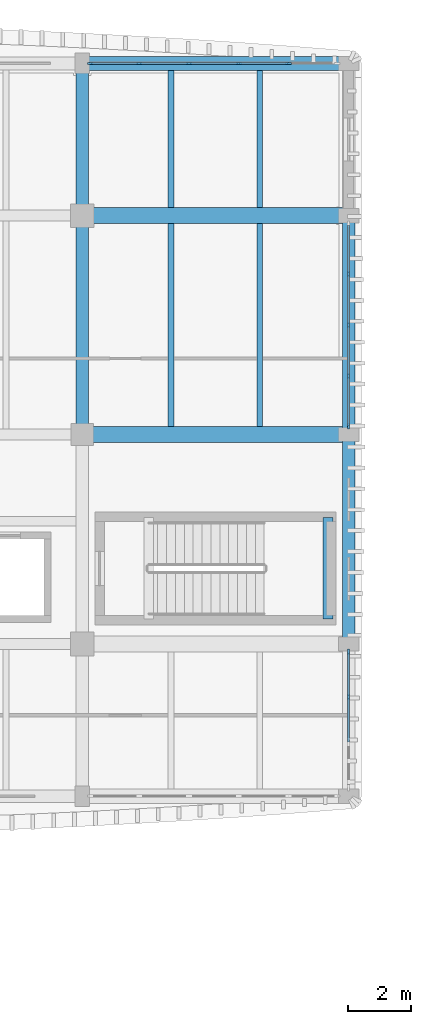
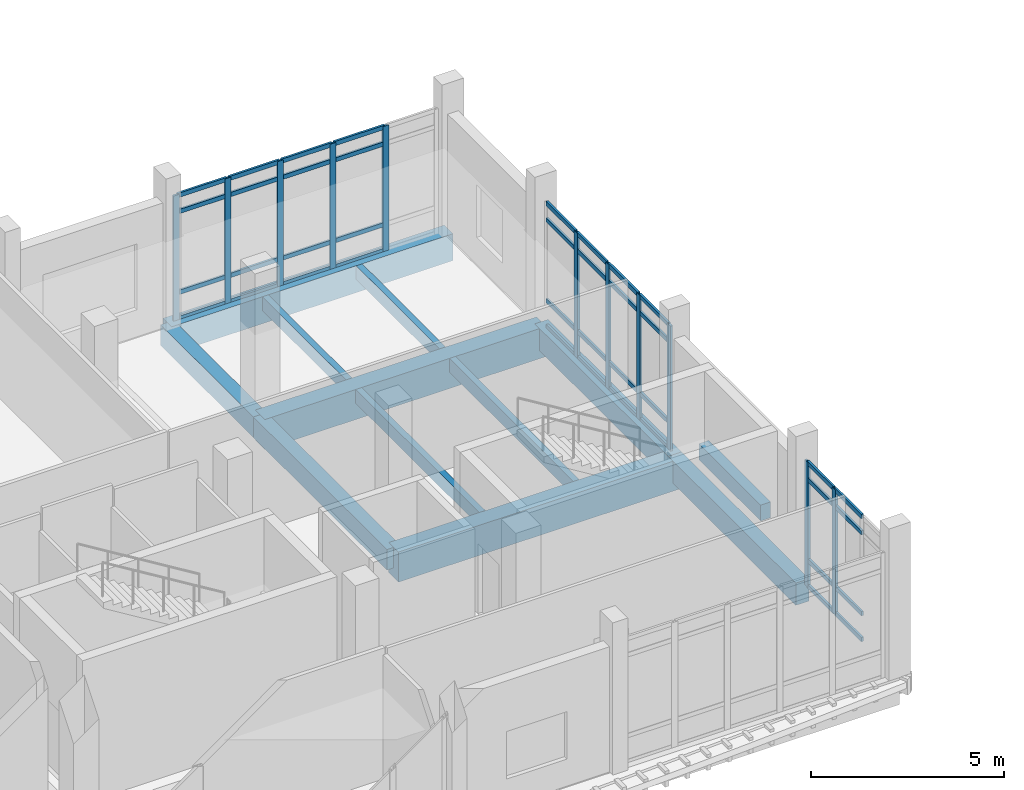
# One storey, part 6 of 37: 51 members, 12 beams, 3 elements without a shape of their own.
"""IFC4 building model written with IfcOpenShell, lengths in metres."""

from ifc_helpers import new_model, si_unit, direction, frame, origin, origin_2d, place, context, subcontext, project, spatial, rectangle, extrude, material, material_profile, profile_set, type_object, element, aggregate, save


model = new_model("IFC4")

# Units and contexts
model_context = context("Model", 3, precision=1e-05, world=origin(), true_north=direction((0.0, 1.0)))
body_context = subcontext(model_context, "Body", "Model", "MODEL_VIEW")
ifc_project = project(units=[si_unit("LENGTHUNIT", "METRE"), si_unit("AREAUNIT", "SQUARE_METRE"), si_unit("VOLUMEUNIT", "CUBIC_METRE"), si_unit("PLANEANGLEUNIT", "RADIAN"), si_unit("MASSUNIT", "GRAM", prefix="KILO")], contexts=[model_context])

# Site, building, storey
site_placement = place(None, origin())
site = spatial("IfcSite", under=ifc_project, at=site_placement, CompositionType="ELEMENT")
building_placement = place(site_placement, origin())
building = spatial("IfcBuilding", under=site, at=building_placement, Name="Dornvale Research Institute", CompositionType="ELEMENT")
storey_placement = place(building_placement, frame((0.0, 0.0, 29.39990234375)))
storey = spatial("IfcBuildingStorey", under=building, at=storey_placement, Name="L06", CompositionType="ELEMENT", Elevation=29.39990234375)

# Beams
ifc_material_1 = material(Name="Concrete f'c 45 MPa (C35/45)", Category="concrete")
ifc_material_profile_1 = material_profile(ifc_material_1, rectangle(XDim=0.300048828125, YDim=0.5, at=origin_2d()), Name="RC 300x500")
ifc_profile_set_1 = profile_set([ifc_material_profile_1], Name="Concrete f'c 45 MPa (C35/45)")
beam_type_1 = type_object("IfcBeamType", Name="Beam_RC300x500_Trim", PredefinedType="BEAM", material=ifc_profile_set_1)
beam_1_placement = place(storey_placement, frame((40.75, 104.580078125, 1.9501953125), z_axis=(0.0, 1.0, 0.0), x_axis=(-1.0, 0.0, 0.0)))
element("IfcBeam", 1, at=beam_1_placement, inside=storey, type_object=beam_type_1, Name="L06 ST-2 half-landing support beam #43", PredefinedType="BEAM", context=body_context, shape_type="SweptSolid", body=[
    extrude(rectangle(XDim=0.300048828125, YDim=0.5, at=origin_2d()), origin(), (0.0, 0.0, 1.0), 3.199951171875),
])
ifc_material_2 = material(Name="Concrete f'c 45 MPa (C35/45)", Category="concrete")
ifc_material_profile_2 = material_profile(ifc_material_2, rectangle(XDim=0.39990234375, YDim=0.64990234375, at=origin_2d()), Name="RC 400x650")
ifc_profile_set_2 = profile_set([ifc_material_profile_2], Name="Concrete f'c 45 MPa (C35/45)")
beam_type_2 = type_object("IfcBeamType", Name="Beam_RC400x650_Floor", PredefinedType="BEAM", material=ifc_profile_set_2)
beam_2_placement = place(storey_placement, frame((33.0, 110.39990234375, -0.324951171875), z_axis=(0.0, 1.0, 0.0), x_axis=(-1.0, 0.0, 0.0)))
element("IfcBeam", 2, at=beam_2_placement, inside=storey, type_object=beam_type_2, Name="L06 transverse girder #1492", PredefinedType="BEAM", context=body_context, shape_type="SweptSolid", body=[
    extrude(rectangle(XDim=0.39990234375, YDim=0.64990234375, at=origin_2d()), origin(), (0.0, 0.0, 1.0), 6.900146484375),
])
beam_3_placement = place(storey_placement, frame((33.0, 117.300048828125, -0.324951171875), z_axis=(0.0, 1.0, 0.0), x_axis=(-1.0, 0.0, 0.0)))
element("IfcBeam", 3, at=beam_3_placement, inside=storey, type_object=beam_type_2, Name="L06 transverse girder #1493", PredefinedType="BEAM", context=body_context, shape_type="SweptSolid", body=[
    extrude(rectangle(XDim=0.39990234375, YDim=0.64990234375, at=origin_2d()), origin(), (0.0, 0.0, 1.0), 4.800048828125),
])
ifc_material_3 = material(Name="Concrete f'c 45 MPa (C35/45)", Category="concrete")
ifc_material_profile_3 = material_profile(ifc_material_3, rectangle(XDim=0.5, YDim=0.949951171875, at=origin_2d()), Name="RC 500x950")
ifc_profile_set_3 = profile_set([ifc_material_profile_3], Name="Concrete f'c 45 MPa (C35/45)")
beam_type_3 = type_object("IfcBeamType", Name="Beam_RC500x950_Girder", PredefinedType="BEAM", material=ifc_profile_set_3)
for number, where, z_axis, x_axis, name in (
    (4, (33.0, 110.39990234375, -0.474853515625), (1.0, 0.0, 0.0), (0.0, 1.0, 0.0), "L06 primary girder #1457"),
    (5, (33.0, 117.300048828125, -0.474853515625), (1.0, 0.0, 0.0), (0.0, 1.0, 0.0), "L06 primary girder #1463"),
):
    element("IfcBeam", number, at=place(storey_placement, frame(where, z_axis=z_axis, x_axis=x_axis)), inside=storey, type_object=beam_type_3, Name=name, PredefinedType="BEAM", context=body_context, shape_type="SweptSolid", body=[
        extrude(rectangle(XDim=0.5, YDim=0.949951171875, at=origin_2d()), origin(), (0.0, 0.0, 1.0), 8.39990234375),
    ])
ifc_material_4 = material(Name="Concrete f'c 45 MPa (C35/45)", Category="concrete")
ifc_material_profile_4 = material_profile(ifc_material_4, rectangle(XDim=0.179931640625, YDim=0.43505859375, at=origin_2d()), Name="RC 180x435")
ifc_profile_set_4 = profile_set([ifc_material_profile_4], Name="Concrete f'c 45 MPa (C35/45)")
beam_type_4 = type_object("IfcBeamType", Name="Joist_RC180x435_Rib", PredefinedType="JOIST", material=ifc_profile_set_4)
for number, where, z_axis, x_axis, name in (
    (6, (35.800048828125, 110.64990234375, -0.21728515625), (0.0, 1.0, 0.0), (-1.0, 0.0, 0.0), "L06 laboratory waffle joist #723"),
    (7, (38.60009765625, 110.64990234375, -0.21728515625), (0.0, 1.0, 0.0), (-1.0, 0.0, 0.0), "L06 laboratory waffle joist #724"),
):
    element("IfcBeam", number, at=place(storey_placement, frame(where, z_axis=z_axis, x_axis=x_axis)), inside=storey, type_object=beam_type_4, Name=name, PredefinedType="JOIST", context=body_context, shape_type="SweptSolid", body=[
        extrude(rectangle(XDim=0.179931640625, YDim=0.43505859375, at=origin_2d()), origin(), (0.0, 0.0, 1.0), 6.400146484375),
    ])
for number, where, z_axis, x_axis, name in (
    (8, (35.800048828125, 117.550048828125, -0.21728515625), (0.0, 1.0, 0.0), (-1.0, 0.0, 0.0), "L06 laboratory waffle joist #725"),
    (9, (38.60009765625, 117.550048828125, -0.21728515625), (0.0, 1.0, 0.0), (-1.0, 0.0, 0.0), "L06 laboratory waffle joist #726"),
):
    element("IfcBeam", number, at=place(storey_placement, frame(where, z_axis=z_axis, x_axis=x_axis)), inside=storey, type_object=beam_type_4, Name=name, PredefinedType="JOIST", context=body_context, shape_type="SweptSolid", body=[
        extrude(rectangle(XDim=0.179931640625, YDim=0.43505859375, at=origin_2d()), origin(), (0.0, 0.0, 1.0), 4.324951171875),
    ])

# Curtain wall, members
ifc_material_5 = material(Name="Low-E Argon Double Insulating Glazing Unit", Category="glass")
curtain_wall_type_1 = type_object("IfcCurtainWallType", Name="UnitisedCurtainWall_V5_7850x3950", PredefinedType="USERDEFINED", material=ifc_material_5)
curtain_wall_1_placement = place(storey_placement, origin())
curtain_wall_1 = element("IfcCurtainWall", 10, at=curtain_wall_1_placement, inside=storey, type_object=curtain_wall_type_1, Name="L06 V5 unitised curtain wall CW-31 #175", ObjectType="UNITISED CURTAIN WALL", PredefinedType="USERDEFINED")
ifc_material_6 = material(Name="Anodized Aluminum AA 6063-T6 Thermally Broken Frame", Category="aluminium")
ifc_material_profile_5 = material_profile(ifc_material_6, rectangle(XDim=0.06494140625, YDim=0.179931640625, at=origin_2d()), Name="ALU MULLION 65x180")
ifc_profile_set_5 = profile_set([ifc_material_profile_5], Name="Anodized Aluminum AA 6063-T6 Thermally Broken Frame")
member_type_1 = type_object("IfcMemberType", Name="Mullion_CW_65x180", PredefinedType="MULLION", material=ifc_profile_set_5)
member_1_placement = place(storey_placement, frame((33.257568359375, 122.10009765625, 0.0), z_axis=(0.0, 0.0, 1.0), x_axis=(0.0, 1.0, 0.0)))
member_1 = element("IfcMember", 11, at=member_1_placement, type_object=member_type_1, Name="CW-31 mullion 1", PredefinedType="MULLION", context=body_context, shape_type="SweptSolid", body=[
    extrude(rectangle(XDim=0.06494140625, YDim=0.179931640625, at=origin_2d()), origin(), (0.0, 0.0, 1.0), 3.9501953125),
])
member_2_placement = place(storey_placement, frame((34.794921875, 122.10009765625, 0.0), z_axis=(0.0, 0.0, 1.0), x_axis=(0.0, 1.0, 0.0)))
member_2 = element("IfcMember", 12, at=member_2_placement, type_object=member_type_1, Name="CW-31 mullion 2", PredefinedType="MULLION", context=body_context, shape_type="SweptSolid", body=[
    extrude(rectangle(XDim=0.06494140625, YDim=0.179931640625, at=origin_2d()), origin(), (0.0, 0.0, 1.0), 3.9501953125),
])
member_3_placement = place(storey_placement, frame((36.364990234375, 122.10009765625, 0.0), z_axis=(0.0, 0.0, 1.0), x_axis=(0.0, 1.0, 0.0)))
member_3 = element("IfcMember", 13, at=member_3_placement, type_object=member_type_1, Name="CW-31 mullion 3", PredefinedType="MULLION", context=body_context, shape_type="SweptSolid", body=[
    extrude(rectangle(XDim=0.06494140625, YDim=0.179931640625, at=origin_2d()), origin(), (0.0, 0.0, 1.0), 3.9501953125),
])
member_4_placement = place(storey_placement, frame((37.93505859375, 122.10009765625, 0.0), z_axis=(0.0, 0.0, 1.0), x_axis=(0.0, 1.0, 0.0)))
member_4 = element("IfcMember", 14, at=member_4_placement, type_object=member_type_1, Name="CW-31 mullion 4", PredefinedType="MULLION", context=body_context, shape_type="SweptSolid", body=[
    extrude(rectangle(XDim=0.06494140625, YDim=0.179931640625, at=origin_2d()), origin(), (0.0, 0.0, 1.0), 3.9501953125),
])
member_5_placement = place(storey_placement, frame((39.5048828125, 122.10009765625, 0.0), z_axis=(0.0, 0.0, 1.0), x_axis=(0.0, 1.0, 0.0)))
member_5 = element("IfcMember", 15, at=member_5_placement, type_object=member_type_1, Name="CW-31 mullion 5", PredefinedType="MULLION", context=body_context, shape_type="SweptSolid", body=[
    extrude(rectangle(XDim=0.06494140625, YDim=0.179931640625, at=origin_2d()), origin(), (0.0, 0.0, 1.0), 3.9501953125),
])

ifc_material_7 = material(Name="Low-E Argon Double Insulating Glazing Unit", Category="glass")
curtain_wall_type_2 = type_object("IfcCurtainWallType", Name="UnitisedCurtainWall_V5_6450x3950", PredefinedType="USERDEFINED", material=ifc_material_7)
curtain_wall_2_placement = place(storey_placement, origin())
curtain_wall_2 = element("IfcCurtainWall", 16, at=curtain_wall_2_placement, inside=storey, type_object=curtain_wall_type_2, Name="L06 V5 unitised curtain wall CW-32 #176", ObjectType="UNITISED CURTAIN WALL", PredefinedType="USERDEFINED")
member_6_placement = place(storey_placement, frame((41.39990234375, 115.46240234375, 0.0), z_axis=(0.0, 0.0, 1.0), x_axis=(1.0, 0.0, 0.0)))
member_6 = element("IfcMember", 17, at=member_6_placement, type_object=member_type_1, Name="CW-32 mullion 2", PredefinedType="MULLION", context=body_context, shape_type="SweptSolid", body=[
    extrude(rectangle(XDim=0.06494140625, YDim=0.179931640625, at=origin_2d()), origin(), (0.0, 0.0, 1.0), 3.9501953125),
])
member_7_placement = place(storey_placement, frame((41.39990234375, 113.85009765625, 0.0), z_axis=(0.0, 0.0, 1.0), x_axis=(1.0, 0.0, 0.0)))
member_7 = element("IfcMember", 18, at=member_7_placement, type_object=member_type_1, Name="CW-32 mullion 3", PredefinedType="MULLION", context=body_context, shape_type="SweptSolid", body=[
    extrude(rectangle(XDim=0.06494140625, YDim=0.179931640625, at=origin_2d()), origin(), (0.0, 0.0, 1.0), 3.9501953125),
])
member_8_placement = place(storey_placement, frame((41.39990234375, 112.237548828125, 0.0), z_axis=(0.0, 0.0, 1.0), x_axis=(1.0, 0.0, 0.0)))
member_8 = element("IfcMember", 19, at=member_8_placement, type_object=member_type_1, Name="CW-32 mullion 4", PredefinedType="MULLION", context=body_context, shape_type="SweptSolid", body=[
    extrude(rectangle(XDim=0.06494140625, YDim=0.179931640625, at=origin_2d()), origin(), (0.0, 0.0, 1.0), 3.9501953125),
])
member_9_placement = place(storey_placement, frame((41.39990234375, 110.657470703125, 0.0), z_axis=(0.0, 0.0, 1.0), x_axis=(1.0, 0.0, 0.0)))
member_9 = element("IfcMember", 20, at=member_9_placement, type_object=member_type_1, Name="CW-32 mullion 5", PredefinedType="MULLION", context=body_context, shape_type="SweptSolid", body=[
    extrude(rectangle(XDim=0.06494140625, YDim=0.179931640625, at=origin_2d()), origin(), (0.0, 0.0, 1.0), 3.9501953125),
])

ifc_material_8 = material(Name="Low-E Argon Double Insulating Glazing Unit", Category="glass")
curtain_wall_type_3 = type_object("IfcCurtainWallType", Name="UnitisedCurtainWall_V5_4350x3950", PredefinedType="USERDEFINED", material=ifc_material_8)
curtain_wall_3_placement = place(storey_placement, origin())
curtain_wall_3 = element("IfcCurtainWall", 21, at=curtain_wall_3_placement, inside=storey, type_object=curtain_wall_type_3, Name="L06 V5 unitised curtain wall CW-33 #177", ObjectType="UNITISED CURTAIN WALL", PredefinedType="USERDEFINED")
member_10_placement = place(storey_placement, frame((41.39990234375, 103.54248046875, 0.0), z_axis=(0.0, 0.0, 1.0), x_axis=(1.0, 0.0, 0.0)))
member_10 = element("IfcMember", 22, at=member_10_placement, type_object=member_type_1, Name="CW-33 mullion 1", PredefinedType="MULLION", context=body_context, shape_type="SweptSolid", body=[
    extrude(rectangle(XDim=0.06494140625, YDim=0.179931640625, at=origin_2d()), origin(), (0.0, 0.0, 1.0), 3.9501953125),
])
member_11_placement = place(storey_placement, frame((41.39990234375, 102.125, 0.0), z_axis=(0.0, 0.0, 1.0), x_axis=(1.0, 0.0, 0.0)))
member_11 = element("IfcMember", 23, at=member_11_placement, type_object=member_type_1, Name="CW-33 mullion 2", PredefinedType="MULLION", context=body_context, shape_type="SweptSolid", body=[
    extrude(rectangle(XDim=0.06494140625, YDim=0.179931640625, at=origin_2d()), origin(), (0.0, 0.0, 1.0), 3.9501953125),
])

# Beams
ifc_material_9 = material(Name="Concrete f'c 45 MPa (C35/45)", Category="concrete")
ifc_material_profile_6 = material_profile(ifc_material_9, rectangle(XDim=0.39990234375, YDim=0.699951171875, at=origin_2d()), Name="RC 400x700")
ifc_profile_set_6 = profile_set([ifc_material_profile_6], Name="Concrete f'c 45 MPa (C35/45)")
beam_type_5 = type_object("IfcBeamType", Name="Spandrel_RC400x700_Ext", PredefinedType="SPANDREL", material=ifc_profile_set_6)
beam_4_placement = place(storey_placement, frame((41.39990234375, 103.800048828125, -0.349853515625), z_axis=(0.0, 1.0, 0.0), x_axis=(-1.0, 0.0, 0.0)))
element("IfcBeam", 24, at=beam_4_placement, inside=storey, type_object=beam_type_5, Name="L06 perimeter spandrel #1495", PredefinedType="SPANDREL", context=body_context, shape_type="SweptSolid", body=[
    extrude(rectangle(XDim=0.39990234375, YDim=0.699951171875, at=origin_2d()), origin(), (0.0, 0.0, 1.0), 6.599853515625),
])
beam_5_placement = place(storey_placement, frame((41.39990234375, 110.39990234375, -0.349853515625), z_axis=(0.0, 1.0, 0.0), x_axis=(-1.0, 0.0, 0.0)))
element("IfcBeam", 25, at=beam_5_placement, inside=storey, type_object=beam_type_5, Name="L06 perimeter spandrel #1496", PredefinedType="SPANDREL", context=body_context, shape_type="SweptSolid", body=[
    extrude(rectangle(XDim=0.39990234375, YDim=0.699951171875, at=origin_2d()), origin(), (0.0, 0.0, 1.0), 6.900146484375),
])
ifc_material_10 = material(Name="Concrete f'c 45 MPa (C35/45)", Category="concrete")
ifc_material_profile_7 = material_profile(ifc_material_10, rectangle(XDim=0.449951171875, YDim=0.85009765625, at=origin_2d()), Name="RC 450x850")
ifc_profile_set_7 = profile_set([ifc_material_profile_7], Name="Concrete f'c 45 MPa (C35/45)")
beam_type_6 = type_object("IfcBeamType", Name="Spandrel_RC450x850_Ext", PredefinedType="SPANDREL", material=ifc_profile_set_7)
beam_6_placement = place(storey_placement, frame((33.0, 122.10009765625, -0.4248046875), z_axis=(1.0, 0.0, 0.0), x_axis=(0.0, 1.0, 0.0)))
element("IfcBeam", 26, at=beam_6_placement, inside=storey, type_object=beam_type_6, Name="L06 perimeter spandrel #1469", PredefinedType="SPANDREL", context=body_context, shape_type="SweptSolid", body=[
    extrude(rectangle(XDim=0.449951171875, YDim=0.85009765625, at=origin_2d()), origin(), (0.0, 0.0, 1.0), 8.39990234375),
])

# Member
ifc_material_11 = material(Name="Anodized Aluminum AA 6063-T6 Thermally Broken Frame", Category="aluminium")
ifc_material_profile_8 = material_profile(ifc_material_11, rectangle(XDim=0.06494140625, YDim=0.135009765625, at=origin_2d()), Name="ALU TRANSOM 65x135")
ifc_profile_set_8 = profile_set([ifc_material_profile_8], Name="Anodized Aluminum AA 6063-T6 Thermally Broken Frame")
member_type_2 = type_object("IfcMemberType", Name="Transom_CW_65x135", PredefinedType="USERDEFINED", material=ifc_profile_set_8)
member_12_placement = place(storey_placement, frame((33.2900390625, 122.10009765625, 0.03271484375), z_axis=(1.0, 0.0, 0.0), x_axis=(0.0, 1.0, 0.0)))
member_12 = element("IfcMember", 27, at=member_12_placement, type_object=member_type_2, Name="CW-31 transom 1.1", ObjectType="TRANSOM", PredefinedType="USERDEFINED", context=body_context, shape_type="SweptSolid", body=[
    extrude(rectangle(XDim=0.06494140625, YDim=0.135009765625, at=origin_2d()), origin(), (0.0, 0.0, 1.0), 1.472412109375),
])

member_13_placement = place(storey_placement, frame((33.2900390625, 122.10009765625, 0.85009765625), z_axis=(1.0, 0.0, 0.0), x_axis=(0.0, 1.0, 0.0)))
member_13 = element("IfcMember", 28, at=member_13_placement, type_object=member_type_2, Name="CW-31 transom 1.2", ObjectType="TRANSOM", PredefinedType="USERDEFINED", context=body_context, shape_type="SweptSolid", body=[
    extrude(rectangle(XDim=0.06494140625, YDim=0.135009765625, at=origin_2d()), origin(), (0.0, 0.0, 1.0), 1.472412109375),
])

member_14_placement = place(storey_placement, frame((33.2900390625, 122.10009765625, 3.400146484375), z_axis=(1.0, 0.0, 0.0), x_axis=(0.0, 1.0, 0.0)))
member_14 = element("IfcMember", 29, at=member_14_placement, type_object=member_type_2, Name="CW-31 transom 1.3", ObjectType="TRANSOM", PredefinedType="USERDEFINED", context=body_context, shape_type="SweptSolid", body=[
    extrude(rectangle(XDim=0.06494140625, YDim=0.135009765625, at=origin_2d()), origin(), (0.0, 0.0, 1.0), 1.472412109375),
])

member_15_placement = place(storey_placement, frame((33.2900390625, 122.10009765625, 3.91748046875), z_axis=(1.0, 0.0, 0.0), x_axis=(0.0, 1.0, 0.0)))
member_15 = element("IfcMember", 30, at=member_15_placement, type_object=member_type_2, Name="CW-31 transom 1.4", ObjectType="TRANSOM", PredefinedType="USERDEFINED", context=body_context, shape_type="SweptSolid", body=[
    extrude(rectangle(XDim=0.06494140625, YDim=0.135009765625, at=origin_2d()), origin(), (0.0, 0.0, 1.0), 1.472412109375),
])

member_16_placement = place(storey_placement, frame((34.827392578125, 122.10009765625, 0.03271484375), z_axis=(1.0, 0.0, 0.0), x_axis=(0.0, 1.0, 0.0)))
member_16 = element("IfcMember", 31, at=member_16_placement, type_object=member_type_2, Name="CW-31 transom 2.1", ObjectType="TRANSOM", PredefinedType="USERDEFINED", context=body_context, shape_type="SweptSolid", body=[
    extrude(rectangle(XDim=0.06494140625, YDim=0.135009765625, at=origin_2d()), origin(), (0.0, 0.0, 1.0), 1.505126953125),
])

member_17_placement = place(storey_placement, frame((34.827392578125, 122.10009765625, 0.85009765625), z_axis=(1.0, 0.0, 0.0), x_axis=(0.0, 1.0, 0.0)))
member_17 = element("IfcMember", 32, at=member_17_placement, type_object=member_type_2, Name="CW-31 transom 2.2", ObjectType="TRANSOM", PredefinedType="USERDEFINED", context=body_context, shape_type="SweptSolid", body=[
    extrude(rectangle(XDim=0.06494140625, YDim=0.135009765625, at=origin_2d()), origin(), (0.0, 0.0, 1.0), 1.505126953125),
])

member_18_placement = place(storey_placement, frame((34.827392578125, 122.10009765625, 3.400146484375), z_axis=(1.0, 0.0, 0.0), x_axis=(0.0, 1.0, 0.0)))
member_18 = element("IfcMember", 33, at=member_18_placement, type_object=member_type_2, Name="CW-31 transom 2.3", ObjectType="TRANSOM", PredefinedType="USERDEFINED", context=body_context, shape_type="SweptSolid", body=[
    extrude(rectangle(XDim=0.06494140625, YDim=0.135009765625, at=origin_2d()), origin(), (0.0, 0.0, 1.0), 1.505126953125),
])

member_19_placement = place(storey_placement, frame((34.827392578125, 122.10009765625, 3.91748046875), z_axis=(1.0, 0.0, 0.0), x_axis=(0.0, 1.0, 0.0)))
member_19 = element("IfcMember", 34, at=member_19_placement, type_object=member_type_2, Name="CW-31 transom 2.4", ObjectType="TRANSOM", PredefinedType="USERDEFINED", context=body_context, shape_type="SweptSolid", body=[
    extrude(rectangle(XDim=0.06494140625, YDim=0.135009765625, at=origin_2d()), origin(), (0.0, 0.0, 1.0), 1.505126953125),
])

member_20_placement = place(storey_placement, frame((36.3974609375, 122.10009765625, 0.03271484375), z_axis=(1.0, 0.0, 0.0), x_axis=(0.0, 1.0, 0.0)))
member_20 = element("IfcMember", 35, at=member_20_placement, type_object=member_type_2, Name="CW-31 transom 3.1", ObjectType="TRANSOM", PredefinedType="USERDEFINED", context=body_context, shape_type="SweptSolid", body=[
    extrude(rectangle(XDim=0.06494140625, YDim=0.135009765625, at=origin_2d()), origin(), (0.0, 0.0, 1.0), 1.505126953125),
])

member_21_placement = place(storey_placement, frame((36.3974609375, 122.10009765625, 0.85009765625), z_axis=(1.0, 0.0, 0.0), x_axis=(0.0, 1.0, 0.0)))
member_21 = element("IfcMember", 36, at=member_21_placement, type_object=member_type_2, Name="CW-31 transom 3.2", ObjectType="TRANSOM", PredefinedType="USERDEFINED", context=body_context, shape_type="SweptSolid", body=[
    extrude(rectangle(XDim=0.06494140625, YDim=0.135009765625, at=origin_2d()), origin(), (0.0, 0.0, 1.0), 1.505126953125),
])

member_22_placement = place(storey_placement, frame((36.3974609375, 122.10009765625, 3.400146484375), z_axis=(1.0, 0.0, 0.0), x_axis=(0.0, 1.0, 0.0)))
member_22 = element("IfcMember", 37, at=member_22_placement, type_object=member_type_2, Name="CW-31 transom 3.3", ObjectType="TRANSOM", PredefinedType="USERDEFINED", context=body_context, shape_type="SweptSolid", body=[
    extrude(rectangle(XDim=0.06494140625, YDim=0.135009765625, at=origin_2d()), origin(), (0.0, 0.0, 1.0), 1.505126953125),
])

member_23_placement = place(storey_placement, frame((36.3974609375, 122.10009765625, 3.91748046875), z_axis=(1.0, 0.0, 0.0), x_axis=(0.0, 1.0, 0.0)))
member_23 = element("IfcMember", 38, at=member_23_placement, type_object=member_type_2, Name="CW-31 transom 3.4", ObjectType="TRANSOM", PredefinedType="USERDEFINED", context=body_context, shape_type="SweptSolid", body=[
    extrude(rectangle(XDim=0.06494140625, YDim=0.135009765625, at=origin_2d()), origin(), (0.0, 0.0, 1.0), 1.505126953125),
])

member_24_placement = place(storey_placement, frame((37.967529296875, 122.10009765625, 0.03271484375), z_axis=(1.0, 0.0, 0.0), x_axis=(0.0, 1.0, 0.0)))
member_24 = element("IfcMember", 39, at=member_24_placement, type_object=member_type_2, Name="CW-31 transom 4.1", ObjectType="TRANSOM", PredefinedType="USERDEFINED", context=body_context, shape_type="SweptSolid", body=[
    extrude(rectangle(XDim=0.06494140625, YDim=0.135009765625, at=origin_2d()), origin(), (0.0, 0.0, 1.0), 1.5048828125),
])

member_25_placement = place(storey_placement, frame((37.967529296875, 122.10009765625, 0.85009765625), z_axis=(1.0, 0.0, 0.0), x_axis=(0.0, 1.0, 0.0)))
member_25 = element("IfcMember", 40, at=member_25_placement, type_object=member_type_2, Name="CW-31 transom 4.2", ObjectType="TRANSOM", PredefinedType="USERDEFINED", context=body_context, shape_type="SweptSolid", body=[
    extrude(rectangle(XDim=0.06494140625, YDim=0.135009765625, at=origin_2d()), origin(), (0.0, 0.0, 1.0), 1.5048828125),
])

member_26_placement = place(storey_placement, frame((37.967529296875, 122.10009765625, 3.400146484375), z_axis=(1.0, 0.0, 0.0), x_axis=(0.0, 1.0, 0.0)))
member_26 = element("IfcMember", 41, at=member_26_placement, type_object=member_type_2, Name="CW-31 transom 4.3", ObjectType="TRANSOM", PredefinedType="USERDEFINED", context=body_context, shape_type="SweptSolid", body=[
    extrude(rectangle(XDim=0.06494140625, YDim=0.135009765625, at=origin_2d()), origin(), (0.0, 0.0, 1.0), 1.5048828125),
])

member_27_placement = place(storey_placement, frame((37.967529296875, 122.10009765625, 3.91748046875), z_axis=(1.0, 0.0, 0.0), x_axis=(0.0, 1.0, 0.0)))
member_27 = element("IfcMember", 42, at=member_27_placement, type_object=member_type_2, Name="CW-31 transom 4.4", ObjectType="TRANSOM", PredefinedType="USERDEFINED", context=body_context, shape_type="SweptSolid", body=[
    extrude(rectangle(XDim=0.06494140625, YDim=0.135009765625, at=origin_2d()), origin(), (0.0, 0.0, 1.0), 1.5048828125),
])

aggregate(curtain_wall_1, [member_1, member_2, member_3, member_4, member_5, member_12, member_13, member_14, member_15, member_16, member_17, member_18, member_19, member_20, member_21, member_22, member_23, member_24, member_25, member_26, member_27])

member_28_placement = place(storey_placement, frame((41.39990234375, 117.010009765625, 0.03271484375), z_axis=(0.0, -1.0, 0.0), x_axis=(1.0, 0.0, 0.0)))
member_28 = element("IfcMember", 43, at=member_28_placement, type_object=member_type_2, Name="CW-32 transom 1.1", ObjectType="TRANSOM", PredefinedType="USERDEFINED", context=body_context, shape_type="SweptSolid", body=[
    extrude(rectangle(XDim=0.06494140625, YDim=0.135009765625, at=origin_2d()), origin(), (0.0, 0.0, 1.0), 1.514892578125),
])

member_29_placement = place(storey_placement, frame((41.39990234375, 117.010009765625, 0.85009765625), z_axis=(0.0, -1.0, 0.0), x_axis=(1.0, 0.0, 0.0)))
member_29 = element("IfcMember", 44, at=member_29_placement, type_object=member_type_2, Name="CW-32 transom 1.2", ObjectType="TRANSOM", PredefinedType="USERDEFINED", context=body_context, shape_type="SweptSolid", body=[
    extrude(rectangle(XDim=0.06494140625, YDim=0.135009765625, at=origin_2d()), origin(), (0.0, 0.0, 1.0), 1.514892578125),
])

member_30_placement = place(storey_placement, frame((41.39990234375, 117.010009765625, 3.400146484375), z_axis=(0.0, -1.0, 0.0), x_axis=(1.0, 0.0, 0.0)))
member_30 = element("IfcMember", 45, at=member_30_placement, type_object=member_type_2, Name="CW-32 transom 1.3", ObjectType="TRANSOM", PredefinedType="USERDEFINED", context=body_context, shape_type="SweptSolid", body=[
    extrude(rectangle(XDim=0.06494140625, YDim=0.135009765625, at=origin_2d()), origin(), (0.0, 0.0, 1.0), 1.514892578125),
])

member_31_placement = place(storey_placement, frame((41.39990234375, 117.010009765625, 3.91748046875), z_axis=(0.0, -1.0, 0.0), x_axis=(1.0, 0.0, 0.0)))
member_31 = element("IfcMember", 46, at=member_31_placement, type_object=member_type_2, Name="CW-32 transom 1.4", ObjectType="TRANSOM", PredefinedType="USERDEFINED", context=body_context, shape_type="SweptSolid", body=[
    extrude(rectangle(XDim=0.06494140625, YDim=0.135009765625, at=origin_2d()), origin(), (0.0, 0.0, 1.0), 1.514892578125),
])

member_32_placement = place(storey_placement, frame((41.39990234375, 115.429931640625, 0.03271484375), z_axis=(0.0, -1.0, 0.0), x_axis=(1.0, 0.0, 0.0)))
member_32 = element("IfcMember", 47, at=member_32_placement, type_object=member_type_2, Name="CW-32 transom 2.1", ObjectType="TRANSOM", PredefinedType="USERDEFINED", context=body_context, shape_type="SweptSolid", body=[
    extrude(rectangle(XDim=0.06494140625, YDim=0.135009765625, at=origin_2d()), origin(), (0.0, 0.0, 1.0), 1.54736328125),
])

member_33_placement = place(storey_placement, frame((41.39990234375, 115.429931640625, 0.85009765625), z_axis=(0.0, -1.0, 0.0), x_axis=(1.0, 0.0, 0.0)))
member_33 = element("IfcMember", 48, at=member_33_placement, type_object=member_type_2, Name="CW-32 transom 2.2", ObjectType="TRANSOM", PredefinedType="USERDEFINED", context=body_context, shape_type="SweptSolid", body=[
    extrude(rectangle(XDim=0.06494140625, YDim=0.135009765625, at=origin_2d()), origin(), (0.0, 0.0, 1.0), 1.54736328125),
])

member_34_placement = place(storey_placement, frame((41.39990234375, 115.429931640625, 3.400146484375), z_axis=(0.0, -1.0, 0.0), x_axis=(1.0, 0.0, 0.0)))
member_34 = element("IfcMember", 49, at=member_34_placement, type_object=member_type_2, Name="CW-32 transom 2.3", ObjectType="TRANSOM", PredefinedType="USERDEFINED", context=body_context, shape_type="SweptSolid", body=[
    extrude(rectangle(XDim=0.06494140625, YDim=0.135009765625, at=origin_2d()), origin(), (0.0, 0.0, 1.0), 1.54736328125),
])

member_35_placement = place(storey_placement, frame((41.39990234375, 115.429931640625, 3.91748046875), z_axis=(0.0, -1.0, 0.0), x_axis=(1.0, 0.0, 0.0)))
member_35 = element("IfcMember", 50, at=member_35_placement, type_object=member_type_2, Name="CW-32 transom 2.4", ObjectType="TRANSOM", PredefinedType="USERDEFINED", context=body_context, shape_type="SweptSolid", body=[
    extrude(rectangle(XDim=0.06494140625, YDim=0.135009765625, at=origin_2d()), origin(), (0.0, 0.0, 1.0), 1.54736328125),
])

member_36_placement = place(storey_placement, frame((41.39990234375, 113.8173828125, 0.03271484375), z_axis=(0.0, -1.0, 0.0), x_axis=(1.0, 0.0, 0.0)))
member_36 = element("IfcMember", 51, at=member_36_placement, type_object=member_type_2, Name="CW-32 transom 3.1", ObjectType="TRANSOM", PredefinedType="USERDEFINED", context=body_context, shape_type="SweptSolid", body=[
    extrude(rectangle(XDim=0.06494140625, YDim=0.135009765625, at=origin_2d()), origin(), (0.0, 0.0, 1.0), 1.54736328125),
])

member_37_placement = place(storey_placement, frame((41.39990234375, 113.8173828125, 0.85009765625), z_axis=(0.0, -1.0, 0.0), x_axis=(1.0, 0.0, 0.0)))
member_37 = element("IfcMember", 52, at=member_37_placement, type_object=member_type_2, Name="CW-32 transom 3.2", ObjectType="TRANSOM", PredefinedType="USERDEFINED", context=body_context, shape_type="SweptSolid", body=[
    extrude(rectangle(XDim=0.06494140625, YDim=0.135009765625, at=origin_2d()), origin(), (0.0, 0.0, 1.0), 1.54736328125),
])

member_38_placement = place(storey_placement, frame((41.39990234375, 113.8173828125, 3.400146484375), z_axis=(0.0, -1.0, 0.0), x_axis=(1.0, 0.0, 0.0)))
member_38 = element("IfcMember", 53, at=member_38_placement, type_object=member_type_2, Name="CW-32 transom 3.3", ObjectType="TRANSOM", PredefinedType="USERDEFINED", context=body_context, shape_type="SweptSolid", body=[
    extrude(rectangle(XDim=0.06494140625, YDim=0.135009765625, at=origin_2d()), origin(), (0.0, 0.0, 1.0), 1.54736328125),
])

member_39_placement = place(storey_placement, frame((41.39990234375, 113.8173828125, 3.91748046875), z_axis=(0.0, -1.0, 0.0), x_axis=(1.0, 0.0, 0.0)))
member_39 = element("IfcMember", 54, at=member_39_placement, type_object=member_type_2, Name="CW-32 transom 3.4", ObjectType="TRANSOM", PredefinedType="USERDEFINED", context=body_context, shape_type="SweptSolid", body=[
    extrude(rectangle(XDim=0.06494140625, YDim=0.135009765625, at=origin_2d()), origin(), (0.0, 0.0, 1.0), 1.54736328125),
])

member_40_placement = place(storey_placement, frame((41.39990234375, 112.205078125, 0.03271484375), z_axis=(0.0, -1.0, 0.0), x_axis=(1.0, 0.0, 0.0)))
member_40 = element("IfcMember", 55, at=member_40_placement, type_object=member_type_2, Name="CW-32 transom 4.1", ObjectType="TRANSOM", PredefinedType="USERDEFINED", context=body_context, shape_type="SweptSolid", body=[
    extrude(rectangle(XDim=0.06494140625, YDim=0.135009765625, at=origin_2d()), origin(), (0.0, 0.0, 1.0), 1.51513671875),
])

member_41_placement = place(storey_placement, frame((41.39990234375, 112.205078125, 0.85009765625), z_axis=(0.0, -1.0, 0.0), x_axis=(1.0, 0.0, 0.0)))
member_41 = element("IfcMember", 56, at=member_41_placement, type_object=member_type_2, Name="CW-32 transom 4.2", ObjectType="TRANSOM", PredefinedType="USERDEFINED", context=body_context, shape_type="SweptSolid", body=[
    extrude(rectangle(XDim=0.06494140625, YDim=0.135009765625, at=origin_2d()), origin(), (0.0, 0.0, 1.0), 1.51513671875),
])

member_42_placement = place(storey_placement, frame((41.39990234375, 112.205078125, 3.400146484375), z_axis=(0.0, -1.0, 0.0), x_axis=(1.0, 0.0, 0.0)))
member_42 = element("IfcMember", 57, at=member_42_placement, type_object=member_type_2, Name="CW-32 transom 4.3", ObjectType="TRANSOM", PredefinedType="USERDEFINED", context=body_context, shape_type="SweptSolid", body=[
    extrude(rectangle(XDim=0.06494140625, YDim=0.135009765625, at=origin_2d()), origin(), (0.0, 0.0, 1.0), 1.51513671875),
])

member_43_placement = place(storey_placement, frame((41.39990234375, 112.205078125, 3.91748046875), z_axis=(0.0, -1.0, 0.0), x_axis=(1.0, 0.0, 0.0)))
member_43 = element("IfcMember", 58, at=member_43_placement, type_object=member_type_2, Name="CW-32 transom 4.4", ObjectType="TRANSOM", PredefinedType="USERDEFINED", context=body_context, shape_type="SweptSolid", body=[
    extrude(rectangle(XDim=0.06494140625, YDim=0.135009765625, at=origin_2d()), origin(), (0.0, 0.0, 1.0), 1.51513671875),
])

aggregate(curtain_wall_2, [member_6, member_7, member_8, member_9, member_28, member_29, member_30, member_31, member_32, member_33, member_34, member_35, member_36, member_37, member_38, member_39, member_40, member_41, member_42, member_43])

member_44_placement = place(storey_placement, frame((41.39990234375, 103.510009765625, 0.03271484375), z_axis=(0.0, -1.0, 0.0), x_axis=(1.0, 0.0, 0.0)))
member_44 = element("IfcMember", 59, at=member_44_placement, type_object=member_type_2, Name="CW-33 transom 1.1", ObjectType="TRANSOM", PredefinedType="USERDEFINED", context=body_context, shape_type="SweptSolid", body=[
    extrude(rectangle(XDim=0.06494140625, YDim=0.135009765625, at=origin_2d()), origin(), (0.0, 0.0, 1.0), 1.3525390625),
])

member_45_placement = place(storey_placement, frame((41.39990234375, 103.510009765625, 0.85009765625), z_axis=(0.0, -1.0, 0.0), x_axis=(1.0, 0.0, 0.0)))
member_45 = element("IfcMember", 60, at=member_45_placement, type_object=member_type_2, Name="CW-33 transom 1.2", ObjectType="TRANSOM", PredefinedType="USERDEFINED", context=body_context, shape_type="SweptSolid", body=[
    extrude(rectangle(XDim=0.06494140625, YDim=0.135009765625, at=origin_2d()), origin(), (0.0, 0.0, 1.0), 1.3525390625),
])

member_46_placement = place(storey_placement, frame((41.39990234375, 103.510009765625, 3.400146484375), z_axis=(0.0, -1.0, 0.0), x_axis=(1.0, 0.0, 0.0)))
member_46 = element("IfcMember", 61, at=member_46_placement, type_object=member_type_2, Name="CW-33 transom 1.3", ObjectType="TRANSOM", PredefinedType="USERDEFINED", context=body_context, shape_type="SweptSolid", body=[
    extrude(rectangle(XDim=0.06494140625, YDim=0.135009765625, at=origin_2d()), origin(), (0.0, 0.0, 1.0), 1.3525390625),
])

member_47_placement = place(storey_placement, frame((41.39990234375, 103.510009765625, 3.91748046875), z_axis=(0.0, -1.0, 0.0), x_axis=(1.0, 0.0, 0.0)))
member_47 = element("IfcMember", 62, at=member_47_placement, type_object=member_type_2, Name="CW-33 transom 1.4", ObjectType="TRANSOM", PredefinedType="USERDEFINED", context=body_context, shape_type="SweptSolid", body=[
    extrude(rectangle(XDim=0.06494140625, YDim=0.135009765625, at=origin_2d()), origin(), (0.0, 0.0, 1.0), 1.3525390625),
])

member_48_placement = place(storey_placement, frame((41.39990234375, 102.092529296875, 0.03271484375), z_axis=(0.0, -1.0, 0.0), x_axis=(1.0, 0.0, 0.0)))
member_48 = element("IfcMember", 63, at=member_48_placement, type_object=member_type_2, Name="CW-33 transom 2.1", ObjectType="TRANSOM", PredefinedType="USERDEFINED", context=body_context, shape_type="SweptSolid", body=[
    extrude(rectangle(XDim=0.06494140625, YDim=0.135009765625, at=origin_2d()), origin(), (0.0, 0.0, 1.0), 1.385009765625),
])

member_49_placement = place(storey_placement, frame((41.39990234375, 102.092529296875, 0.85009765625), z_axis=(0.0, -1.0, 0.0), x_axis=(1.0, 0.0, 0.0)))
member_49 = element("IfcMember", 64, at=member_49_placement, type_object=member_type_2, Name="CW-33 transom 2.2", ObjectType="TRANSOM", PredefinedType="USERDEFINED", context=body_context, shape_type="SweptSolid", body=[
    extrude(rectangle(XDim=0.06494140625, YDim=0.135009765625, at=origin_2d()), origin(), (0.0, 0.0, 1.0), 1.385009765625),
])

member_50_placement = place(storey_placement, frame((41.39990234375, 102.092529296875, 3.400146484375), z_axis=(0.0, -1.0, 0.0), x_axis=(1.0, 0.0, 0.0)))
member_50 = element("IfcMember", 65, at=member_50_placement, type_object=member_type_2, Name="CW-33 transom 2.3", ObjectType="TRANSOM", PredefinedType="USERDEFINED", context=body_context, shape_type="SweptSolid", body=[
    extrude(rectangle(XDim=0.06494140625, YDim=0.135009765625, at=origin_2d()), origin(), (0.0, 0.0, 1.0), 1.385009765625),
])

member_51_placement = place(storey_placement, frame((41.39990234375, 102.092529296875, 3.91748046875), z_axis=(0.0, -1.0, 0.0), x_axis=(1.0, 0.0, 0.0)))
member_51 = element("IfcMember", 66, at=member_51_placement, type_object=member_type_2, Name="CW-33 transom 2.4", ObjectType="TRANSOM", PredefinedType="USERDEFINED", context=body_context, shape_type="SweptSolid", body=[
    extrude(rectangle(XDim=0.06494140625, YDim=0.135009765625, at=origin_2d()), origin(), (0.0, 0.0, 1.0), 1.385009765625),
])

aggregate(curtain_wall_3, [member_10, member_11, member_44, member_45, member_46, member_47, member_48, member_49, member_50, member_51])

save(model, "model.ifc")
